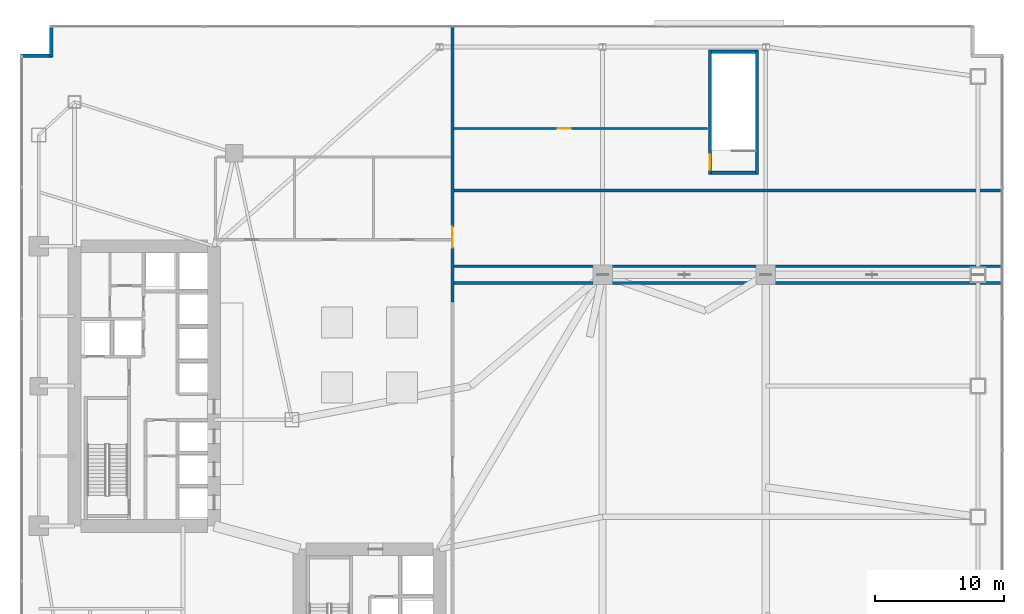
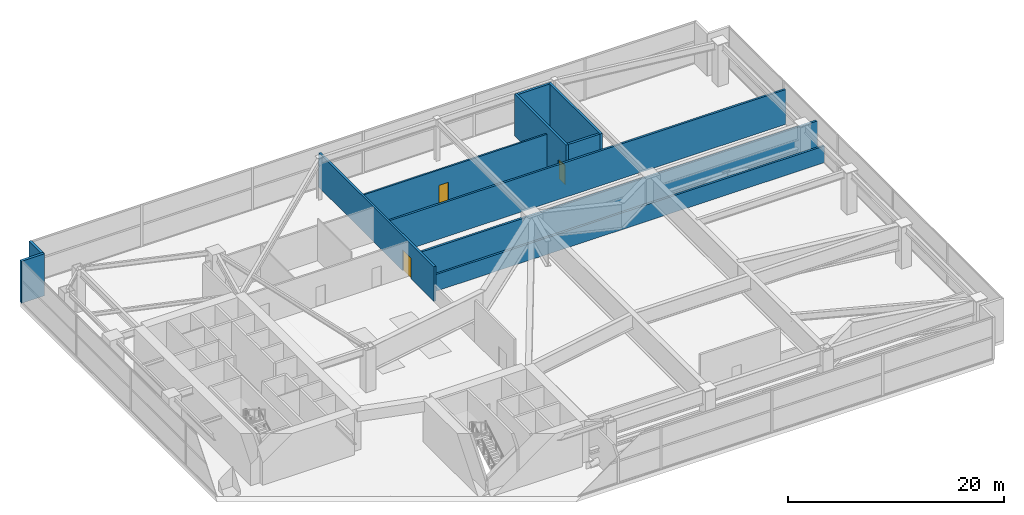
# One storey, part 33 of 36: 11 walls, 3 doors, 3 openings.
"""IFC4 building model written with IfcOpenShell, lengths in metres."""

import ifcopenshell
import ifcopenshell.guid

model = None  # the IFC model being written
_history = None  # IfcOwnerHistory: only IFC2X3 demands one
_inside = {}  # id of a spatial element -> (the spatial element, [elements in it])
_under = {}  # id of a project, library or spatial element -> (it, [spatial elements below it])
_declared = {}  # id of a project -> (the project, [libraries it declares])
_typed = {}  # id of a type object -> (the type object, [elements of that type])
_made_of = {}  # id of a material, layer set ... -> (it, [elements and type objects made of it])


def new_model(schema):
    """Start an empty IFC model of exactly this schema.

    Asked for "IFC4X3", IfcOpenShell would pick the latest addendum, in which some entities
    have other attributes; the version numbers below select the first issue.
    IFC2X3 requires an IfcOwnerHistory on every rooted entity: one is made here for all.
    """
    global model, _history
    if schema == "IFC4X3":
        model = ifcopenshell.file(schema_version=(4, 3, 0, 0))
    else:
        model = ifcopenshell.file(schema=schema)
    _inside.clear()
    _under.clear()
    _declared.clear()
    _typed.clear()
    _made_of.clear()
    _history = None
    if model.schema == "IFC2X3":
        org = make("IfcOrganization", Name="unknown")
        user = make(
            "IfcPersonAndOrganization",
            ThePerson=make("IfcPerson", FamilyName="unknown"),
            TheOrganization=org,
        )
        app = make(
            "IfcApplication",
            ApplicationDeveloper=org,
            Version="unknown",
            ApplicationFullName="unknown",
            ApplicationIdentifier="unknown",
        )
        _history = make(
            "IfcOwnerHistory",
            OwningUser=user,
            OwningApplication=app,
            ChangeAction="ADDED",
            CreationDate=0,
        )
    return model


def make(cls, **values):
    """One entity of the class cls with the attributes given. An attribute that is None is left unset."""
    return model.create_entity(
        cls, **{name: value for name, value in values.items() if value is not None}
    )


def rooted(cls, **values):
    """An entity with a GlobalId (a new one), such as an element, a storey or a relation."""
    return make(cls, GlobalId=ifcopenshell.guid.new(), OwnerHistory=_history, **values)


def si_unit(unit_type, name, prefix=None):
    """IfcSIUnit, for example si_unit("LENGTHUNIT", "METRE", prefix="MILLI")."""
    return make("IfcSIUnit", UnitType=unit_type, Prefix=prefix, Name=name)


def assignment(units):
    """IfcUnitAssignment: the units of a project."""
    return None if units is None else make("IfcUnitAssignment", Units=units)


def point(xyz):
    """IfcCartesianPoint."""
    return None if xyz is None else make("IfcCartesianPoint", Coordinates=xyz)


def direction(xyz):
    """IfcDirection."""
    return None if xyz is None else make("IfcDirection", DirectionRatios=xyz)


def frame(location, z_axis=None, x_axis=None):
    """IfcAxis2Placement3D, a coordinate frame: its origin and axes. An axis left out is left unset."""
    return make(
        "IfcAxis2Placement3D",
        Location=point(location),
        Axis=direction(z_axis),
        RefDirection=direction(x_axis),
    )


def frame_2d(location, x_axis=None):
    """IfcAxis2Placement2D, a coordinate frame in the plane: its origin and x axis."""
    return make(
        "IfcAxis2Placement2D", Location=point(location), RefDirection=direction(x_axis)
    )


def origin():
    """The frame at (0, 0, 0) with its axes left unset."""
    return frame((0.0, 0.0, 0.0))


def place(relative_to, where):
    """IfcLocalPlacement: puts the frame where relative to a parent placement (None: the world)."""
    return make(
        "IfcLocalPlacement", PlacementRelTo=relative_to, RelativePlacement=where
    )


def context(
    kind, dimensions, precision=None, world=None, true_north=None, identifier=None
):
    """IfcGeometricRepresentationContext, for example the 3D "Model" context."""
    return make(
        "IfcGeometricRepresentationContext",
        ContextIdentifier=identifier,
        ContextType=kind,
        CoordinateSpaceDimension=dimensions,
        Precision=precision,
        WorldCoordinateSystem=world,
        TrueNorth=true_north,
    )


def subcontext(parent, identifier, kind, view, scale=None):
    """IfcGeometricRepresentationSubContext, for example "Body" below "Model"."""
    return make(
        "IfcGeometricRepresentationSubContext",
        ContextIdentifier=identifier,
        ContextType=kind,
        ParentContext=parent,
        TargetScale=scale,
        TargetView=view,
    )


def project(units=None, contexts=None):
    """IfcProject with its units and contexts."""
    return rooted(
        "IfcProject",
        Name="project",
        RepresentationContexts=contexts,
        UnitsInContext=assignment(units),
    )


def spatial(cls, under=None, at=None, **own):
    """A site, building, storey or space (cls), placed at a placement, below another one or the project."""
    s = rooted(cls, ObjectPlacement=at, **own)
    if under is not None:
        _under.setdefault(under.id(), (under, []))[1].append(s)
    return s


def profile(cls, at=None, kind="AREA", **sizes):
    """A parametric profile (cls). Its sizes go by their IFC names, for example OverallWidth=200.0."""
    return make(cls, ProfileType=kind, Position=at, **sizes)


def rectangle(**sizes):
    """IfcRectangleProfileDef."""
    return profile("IfcRectangleProfileDef", **sizes)


def extrude(swept, where, along, depth):
    """IfcExtrudedAreaSolid: the profile swept, set in the frame where, extruded along a direction by depth."""
    return make(
        "IfcExtrudedAreaSolid",
        SweptArea=swept,
        Position=where,
        ExtrudedDirection=direction(along),
        Depth=depth,
    )


def shape(context_of_items, identifier, shape_type, items):
    """IfcShapeRepresentation: the items that make up one representation, for example the "Body"."""
    return make(
        "IfcShapeRepresentation",
        ContextOfItems=context_of_items,
        RepresentationIdentifier=identifier,
        RepresentationType=shape_type,
        Items=items,
    )


def material(Name=None, Category=None):
    """IfcMaterial."""
    return make("IfcMaterial", Name=Name, Category=Category)


def layer(
    of_material, thickness, ventilated=None, Name=None, Category=None, Priority=None
):
    """IfcMaterialLayer: one layer of a wall or slab, of a material (None: an air gap)."""
    return make(
        "IfcMaterialLayer",
        Material=of_material,
        LayerThickness=thickness,
        IsVentilated=ventilated,
        Name=Name,
        Category=Category,
        Priority=Priority,
    )


def layer_set(layers, Name=None):
    """IfcMaterialLayerSet."""
    return make("IfcMaterialLayerSet", MaterialLayers=layers, LayerSetName=Name)


def made_of(thing, what):
    """Note that an element or type object is made of a material, layer set ...; save() writes the relation."""
    if what is not None:
        _made_of.setdefault(what.id(), (what, []))[1].append(thing)
    return thing


def type_object(cls, material=None, **own):
    """A type object (cls), such as IfcWallType, which elements share."""
    return made_of(rooted(cls, **own), material)


def element(
    cls,
    number,
    at=None,
    inside=None,
    cuts=None,
    type_object=None,
    material=None,
    context=None,
    identifier="Body",
    shape_type=None,
    held_by="IfcProductDefinitionShape",
    body=None,
    shapes=None,
    **own,
):
    """One element of the class cls, such as IfcWall. Its Tag is "e" and its number.

    at: its placement. inside: the storey or other place that contains it. cuts: it is an
    opening in that element (IfcRelVoidsElement). A single representation is given by context,
    identifier, shape_type and body (its items); several are given by shapes. held_by: the class
    of the entity that holds the representations. save() writes the other relations.
    """
    e = rooted(cls, Tag="e%d" % number, ObjectPlacement=at, **own)
    if body is not None:
        shapes = [shape(context, identifier, shape_type, body)]
    if shapes is not None:
        e.Representation = make(held_by, Representations=shapes)
    if inside is not None:
        _inside.setdefault(inside.id(), (inside, []))[1].append(e)
    if cuts is not None:
        rooted(
            "IfcRelVoidsElement", RelatingBuildingElement=cuts, RelatedOpeningElement=e
        )
    if type_object is not None:
        _typed.setdefault(type_object.id(), (type_object, []))[1].append(e)
    return made_of(e, material)


def fill(opening, filler):
    """IfcRelFillsElement: the door or window that sits in an opening."""
    return rooted(
        "IfcRelFillsElement",
        RelatingOpeningElement=opening,
        RelatedBuildingElement=filler,
    )


def aggregate(whole, parts):
    """IfcRelAggregates: a whole, such as a stair, and the parts it consists of."""
    return rooted("IfcRelAggregates", RelatingObject=whole, RelatedObjects=parts)


def save(model, path):
    """Write the relations noted so far, then the file.

    IfcRelAggregates (storeys below a building ...), IfcRelContainedInSpatialStructure (elements
    in a storey), IfcRelDefinesByType, IfcRelAssociatesMaterial and IfcRelDeclares: one each for
    every whole, place, type object, material and project.
    """
    for whole, parts in _under.values():
        aggregate(whole, parts)
    for where, things in _inside.values():
        rooted(
            "IfcRelContainedInSpatialStructure",
            RelatedElements=things,
            RelatingStructure=where,
        )
    for kind, things in _typed.values():
        rooted("IfcRelDefinesByType", RelatedObjects=things, RelatingType=kind)
    for what, things in _made_of.values():
        rooted("IfcRelAssociatesMaterial", RelatedObjects=things, RelatingMaterial=what)
    for by, libraries in _declared.values():
        rooted("IfcRelDeclares", RelatingContext=by, RelatedDefinitions=libraries)
    model.write(path)


model = new_model("IFC4")

# Units and contexts
model_context = context("Model", 3, precision=1e-05, world=origin(), true_north=direction((0.0, 1.0)))
body_context = subcontext(model_context, "Body", "Model", "MODEL_VIEW")
ifc_project = project(units=[si_unit("LENGTHUNIT", "METRE"), si_unit("AREAUNIT", "SQUARE_METRE"), si_unit("VOLUMEUNIT", "CUBIC_METRE"), si_unit("PLANEANGLEUNIT", "RADIAN"), si_unit("MASSUNIT", "GRAM", prefix="KILO")], contexts=[model_context])

# Site, building, storey
site_placement = place(None, origin())
site = spatial("IfcSite", under=ifc_project, at=site_placement, CompositionType="ELEMENT")
building_placement = place(site_placement, origin())
building = spatial("IfcBuilding", under=site, at=building_placement, Name="Calvorn Quay Hotel", CompositionType="ELEMENT")
storey_placement = place(building_placement, frame((0.0, 0.0, 22.0)))
storey = spatial("IfcBuildingStorey", under=building, at=storey_placement, Name="L04", CompositionType="ELEMENT", Elevation=22.0)

# Wall, opening, door
ifc_material_1 = material(Name="Acoustic Fireboard Steel-Stud Partition", Category="steel")
ifc_layer_1 = layer(ifc_material_1, 0.179931640625)
ifc_layer_set_1 = layer_set([ifc_layer_1], Name="WL-CORR-FIRE-180")
wall_type_1 = type_object("IfcWallType", Name="WL-CORR-FIRE-180", PredefinedType="PARTITIONING", material=ifc_layer_set_1)
wall_1_placement = place(storey_placement, frame((33.52001953125, 47.5, 0.0), z_axis=(0.0, 0.0, 1.0), x_axis=(1.0, 0.0, 0.0)))
wall_1 = element("IfcWall", 1, at=wall_1_placement, inside=storey, type_object=wall_type_1, Name="Partition Wall L04-WL-L04-SC-S", PredefinedType="PARTITIONING", context=body_context, shape_type="SweptSolid", body=[
    extrude(rectangle(XDim=19.580078125, YDim=0.179931640625, at=frame_2d((9.7900390625, 0.0))), origin(), (0.0, 0.0, 1.0), 3.93994140625),
])
opening_1_placement = place(wall_1_placement, frame((8.0, 0.0, 0.0)))
opening_1 = element("IfcOpeningElement", 2, at=opening_1_placement, cuts=wall_1, Name="Opening D-L04-04", PredefinedType="OPENING", context=body_context, shape_type="SweptSolid", body=[
    extrude(rectangle(XDim=1.02001953125, YDim=2.199951171875, at=frame_2d((0.510009765625, 1.10009765625))), frame((0.0, 0.099853515625, 0.0), z_axis=(0.0, -1.0, 0.0), x_axis=(1.0, 0.0, 0.0)), (0.0, 0.0, 1.0), 0.199951171875),
])
ifc_material_2 = material(Name="Solid-Core Walnut Veneer Hotel Fire Door")
door_type_1 = type_object("IfcDoorType", Name="DR-GUEST-ENTRY-1020", OperationType="NOTDEFINED", PredefinedType="DOOR", material=ifc_material_2)
door_1_placement = place(opening_1_placement, origin())
door_1 = element("IfcDoor", 3, at=door_1_placement, inside=storey, type_object=door_type_1, Name="Wellness Suite Door", OperationType="SINGLE_SWING_LEFT", OverallHeight=2.199951171875, OverallWidth=1.02001953125, PredefinedType="DOOR", context=body_context, shape_type="SweptSolid", body=[
    extrude(rectangle(XDim=1.02001953125, YDim=2.199951171875, at=frame_2d((0.510009765625, 1.10009765625))), frame((0.0, 0.02490234375, 0.0), z_axis=(0.0, -1.0, 0.0), x_axis=(1.0, 0.0, 0.0)), (0.0, 0.0, 1.0), 0.050048828125),
])
fill(opening_1, door_1)

# Walls
ifc_material_3 = material(Name="Concrete C40", Category="concrete")
ifc_layer_2 = layer(ifc_material_3, 0.320068359375)
ifc_layer_set_2 = layer_set([ifc_layer_2], Name="WL-EXT-SPANDREL-320")
wall_type_2 = type_object("IfcWallType", Name="WL-EXT-SPANDREL-320", PredefinedType="SOLIDWALL", material=ifc_layer_set_2)
for number, where, z_axis, x_axis, name in (
    (4, (2.39990234375, 55.4599609375, 0.0), (0.0, 0.0, 1.0), (0.0, -1.0, 0.0), "Podium Notched Corner Wall L04-NW1"),
    (5, (2.5, 53.10009765625, 0.0), (0.0, 0.0, 1.0), (-1.0, 0.0, 0.0), "Podium Notched Corner Wall L04-NW2"),
):
    element("IfcWall", number, at=place(storey_placement, frame(where, z_axis=z_axis, x_axis=x_axis)), inside=storey, type_object=wall_type_2, Name=name, PredefinedType="SOLIDWALL", context=body_context, shape_type="SweptSolid", body=[
        extrude(rectangle(XDim=2.4599609375, YDim=0.280029296875, at=frame_2d((1.22998046875, 0.0))), origin(), (0.0, 0.0, 1.0), 4.760009765625),
    ])

# Wall, opening, door
ifc_material_4 = material(Name="Autoclaved Aerated Masonry Block", Category="masonry")
ifc_layer_3 = layer(ifc_material_4, 0.219970703125)
ifc_layer_set_3 = layer_set([ifc_layer_3], Name="WL-LOBBY-FIRE-220")
wall_type_3 = type_object("IfcWallType", Name="WL-LOBBY-FIRE-220", PredefinedType="SOLIDWALL", material=ifc_layer_set_3)
wall_2_placement = place(storey_placement, frame((33.39990234375, 34.10009765625, 0.0), z_axis=(0.0, 0.0, 1.0), x_axis=(0.0, 1.0, 0.0)))
wall_2 = element("IfcWall", 6, at=wall_2_placement, inside=storey, type_object=wall_type_3, Name="Partition Wall L04-WL-L04-FT-W3", PredefinedType="SOLIDWALL", context=body_context, shape_type="SweptSolid", body=[
    extrude(rectangle(XDim=21.33984375, YDim=0.219970703125, at=frame_2d((10.669921875, 0.0))), origin(), (0.0, 0.0, 1.0), 3.93994140625),
])
opening_2_placement = place(wall_2_placement, frame((4.199951171875, 0.0, 0.0)))
opening_2 = element("IfcOpeningElement", 7, at=opening_2_placement, cuts=wall_2, Name="Opening D-L04-03", PredefinedType="OPENING", context=body_context, shape_type="SweptSolid", body=[
    extrude(rectangle(XDim=1.60009765625, YDim=2.35009765625, at=frame_2d((0.800048828125, 1.175048828125))), frame((0.0, 0.119873046875, 0.0), z_axis=(0.0, -1.0, 0.0), x_axis=(1.0, 0.0, 0.0)), (0.0, 0.0, 1.0), 0.239990234375),
])
ifc_material_5 = material(Name="Heavy-Duty Steel Acoustic Plant Fire Door", Category="steel")
door_type_2 = type_object("IfcDoorType", Name="DR-PLANT-DBL-1600", OperationType="NOTDEFINED", PredefinedType="DOOR", material=ifc_material_5)
door_2_placement = place(opening_2_placement, origin())
door_2 = element("IfcDoor", 8, at=door_2_placement, inside=storey, type_object=door_type_2, Name="North Truss Plant Door", OperationType="SINGLE_SWING_LEFT", OverallHeight=2.35009765625, OverallWidth=1.60009765625, PredefinedType="DOOR", context=body_context, shape_type="SweptSolid", body=[
    extrude(rectangle(XDim=1.60009765625, YDim=2.35009765625, at=frame_2d((0.800048828125, 1.175048828125))), frame((0.0, 0.02490234375, 0.0), z_axis=(0.0, -1.0, 0.0), x_axis=(1.0, 0.0, 0.0)), (0.0, 0.0, 1.0), 0.050048828125),
])
fill(opening_2, door_2)

# Walls
wall_3_placement = place(storey_placement, frame((33.52001953125, 35.550048828125, 0.0), z_axis=(0.0, 0.0, 1.0), x_axis=(1.0, 0.0, 0.0)))
element("IfcWall", 9, at=wall_3_placement, inside=storey, type_object=wall_type_3, Name="Partition Wall L04-WL-L04-FT-N", PredefinedType="SOLIDWALL", context=body_context, shape_type="SweptSolid", body=[
    extrude(rectangle(XDim=42.35986328125, YDim=0.219970703125, at=frame_2d((21.179931640625, 0.0))), origin(), (0.0, 0.0, 1.0), 1.889892578125),
])
for number, where, z_axis, x_axis, name in (
    (10, (33.52001953125, 36.85009765625, 0.0), (0.0, 0.0, 1.0), (1.0, 0.0, 0.0), "Partition Wall L04-WL-L04-WTR2-N"),
    (11, (33.52001953125, 42.699951171875, 0.0), (0.0, 0.0, 1.0), (1.0, 0.0, 0.0), "Partition Wall L04-WL-L04-XN-N"),
):
    element("IfcWall", number, at=place(storey_placement, frame(where, z_axis=z_axis, x_axis=x_axis)), inside=storey, type_object=wall_type_3, Name=name, PredefinedType="SOLIDWALL", context=body_context, shape_type="SweptSolid", body=[
        extrude(rectangle(XDim=42.35986328125, YDim=0.219970703125, at=frame_2d((21.179931640625, 0.0))), origin(), (0.0, 0.0, 1.0), 3.93994140625),
    ])

# Wall, opening, door
ifc_material_6 = material(Name="Concrete C40", Category="concrete")
ifc_layer_4 = layer(ifc_material_6, 0.239990234375)
ifc_layer_set_4 = layer_set([ifc_layer_4], Name="WL-SHAFT-240")
wall_type_4 = type_object("IfcWallType", Name="WL-SHAFT-240", PredefinedType="SOLIDWALL", material=ifc_layer_set_4)
wall_4_placement = place(storey_placement, frame((53.280029296875, 43.9599609375, 0.0), z_axis=(0.0, 0.0, 1.0), x_axis=(0.0, 1.0, 0.0)))
wall_4 = element("IfcWall", 12, at=wall_4_placement, inside=storey, type_object=wall_type_4, Name="Stair STP1 Shaft Wall W (L04)", PredefinedType="SOLIDWALL", context=body_context, shape_type="SweptSolid", body=[
    extrude(rectangle(XDim=9.580078125, YDim=0.239990234375, at=frame_2d((4.7900390625, 0.0))), origin(), (0.0, 0.0, 1.0), 4.760009765625),
])
opening_3_placement = place(wall_4_placement, frame((0.35009765625, 0.0, 0.0)))
opening_3 = element("IfcOpeningElement", 13, at=opening_3_placement, cuts=wall_4, Name="Opening D-L04-STP1", PredefinedType="OPENING", context=body_context, shape_type="SweptSolid", body=[
    extrude(rectangle(XDim=1.14990234375, YDim=2.199951171875, at=frame_2d((0.574951171875, 1.10009765625))), frame((0.0, 0.1298828125, 0.0), z_axis=(0.0, -1.0, 0.0), x_axis=(1.0, 0.0, 0.0)), (0.0, 0.0, 1.0), 0.260009765625),
])
ifc_material_7 = material(Name="Galvanised Steel Class A Fire Door", Category="steel")
door_type_3 = type_object("IfcDoorType", Name="DR-STAIR-SMOKE-1150", OperationType="NOTDEFINED", PredefinedType="DOOR", material=ifc_material_7)
door_3_placement = place(opening_3_placement, origin())
door_3 = element("IfcDoor", 14, at=door_3_placement, inside=storey, type_object=door_type_3, Name="Podium Stair ST-P1 Fire Door (L04)", OperationType="SINGLE_SWING_LEFT", OverallHeight=2.199951171875, OverallWidth=1.14990234375, PredefinedType="DOOR", context=body_context, shape_type="SweptSolid", body=[
    extrude(rectangle(XDim=1.14990234375, YDim=2.199951171875, at=frame_2d((0.574951171875, 1.10009765625))), frame((0.0, 0.02490234375, 0.0), z_axis=(0.0, -1.0, 0.0), x_axis=(1.0, 0.0, 0.0)), (0.0, 0.0, 1.0), 0.050048828125),
])
fill(opening_3, door_3)

# Walls
wall_5_placement = place(storey_placement, frame((56.919921875, 43.9599609375, 0.0), z_axis=(0.0, 0.0, 1.0), x_axis=(0.0, 1.0, 0.0)))
element("IfcWall", 15, at=wall_5_placement, inside=storey, type_object=wall_type_4, Name="Stair STP1 Shaft Wall E (L04)", PredefinedType="SOLIDWALL", context=body_context, shape_type="SweptSolid", body=[
    extrude(rectangle(XDim=9.580078125, YDim=0.239990234375, at=frame_2d((4.7900390625, 0.0))), origin(), (0.0, 0.0, 1.0), 4.760009765625),
])
for number, where, z_axis, x_axis, name in (
    (16, (53.39990234375, 44.080078125, 0.0), (0.0, 0.0, 1.0), (1.0, 0.0, 0.0), "Stair STP1 Shaft Wall S (L04)"),
    (17, (53.39990234375, 53.419921875, 0.0), (0.0, 0.0, 1.0), (1.0, 0.0, 0.0), "Stair STP1 Shaft Wall N (L04)"),
):
    element("IfcWall", number, at=place(storey_placement, frame(where, z_axis=z_axis, x_axis=x_axis)), inside=storey, type_object=wall_type_4, Name=name, PredefinedType="SOLIDWALL", context=body_context, shape_type="SweptSolid", body=[
        extrude(rectangle(XDim=3.400146484375, YDim=0.239990234375, at=frame_2d((1.7001953125, 0.0))), origin(), (0.0, 0.0, 1.0), 4.760009765625),
    ])

save(model, "model.ifc")
